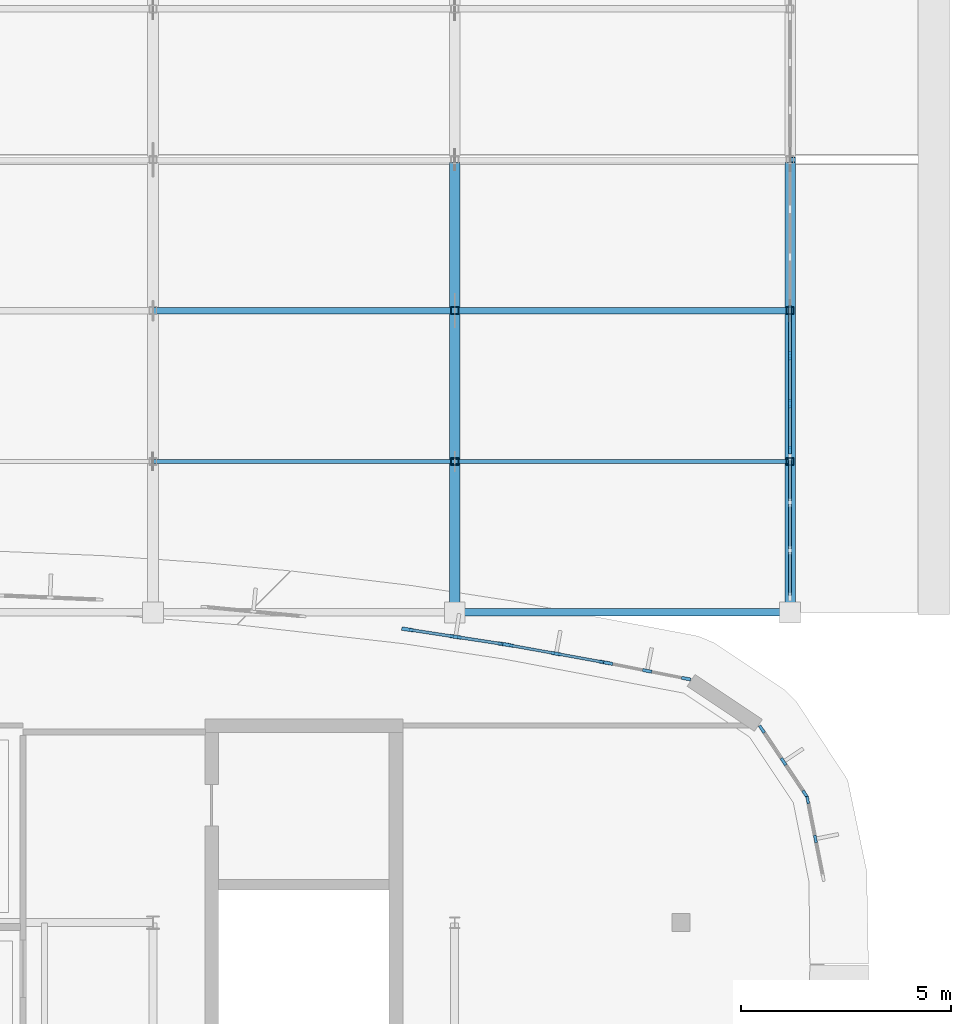
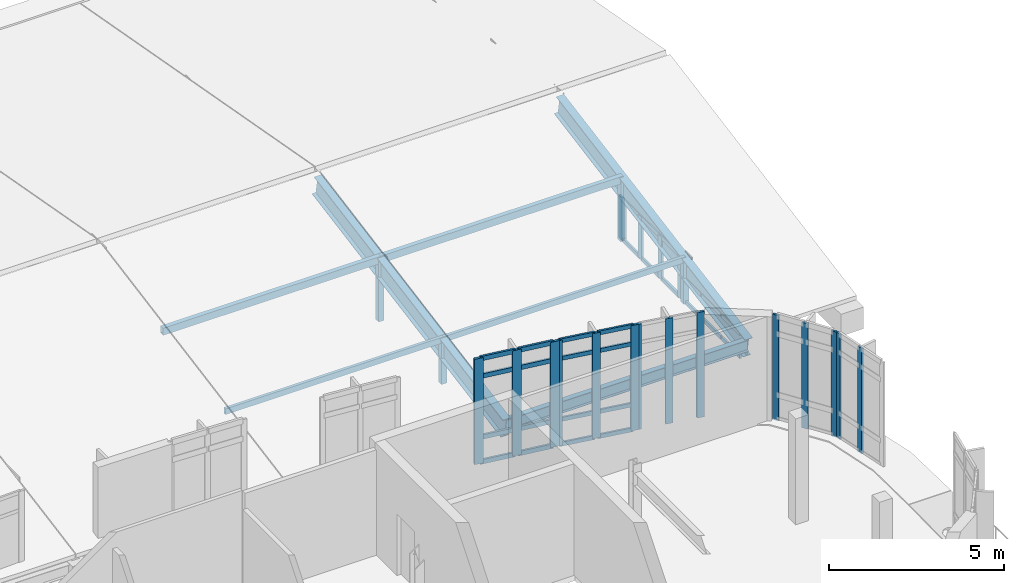
# One storey, part 35 of 105: 54 members, 3 beams, 7 elements without a shape of their own.
"""IFC4 building model written with IfcOpenShell, lengths in metres."""

from ifc_helpers import new_model, si_unit, direction, frame, origin, origin_2d, place, context, subcontext, project, spatial, rectangle, hollow_rectangle, i_section, extrude, material, material_profile, profile_set, type_object, element, aggregate, save


model = new_model("IFC4")

# Units and contexts
model_context = context("Model", 3, precision=1e-05, world=origin(), true_north=direction((0.0, 1.0)))
body_context = subcontext(model_context, "Body", "Model", "MODEL_VIEW")
ifc_project = project(units=[si_unit("LENGTHUNIT", "METRE"), si_unit("AREAUNIT", "SQUARE_METRE"), si_unit("VOLUMEUNIT", "CUBIC_METRE"), si_unit("PLANEANGLEUNIT", "RADIAN"), si_unit("MASSUNIT", "GRAM", prefix="KILO")], contexts=[model_context])

# Site, building, storey
site_placement = place(None, origin())
site = spatial("IfcSite", under=ifc_project, at=site_placement, CompositionType="ELEMENT")
building_placement = place(site_placement, origin())
building = spatial("IfcBuilding", under=site, at=building_placement, Name="Corveleigh Park Community Centre", CompositionType="ELEMENT")
storey_placement = place(building_placement, frame((0.0, 0.0, 8.699951171875)))
storey = spatial("IfcBuildingStorey", under=building, at=storey_placement, Name="L02", CompositionType="ELEMENT", Elevation=8.699951171875)

# Beams
ifc_material_1 = material(Name="Steel S355", Category="steel")
ifc_material_profile_1 = material_profile(ifc_material_1, i_section(OverallWidth=0.177978515625, OverallDepth=0.406494140625, WebThickness=0.0078125, FlangeThickness=0.0126953125, at=origin_2d()), Name="UKB 406x178x60", Category="steel")
ifc_profile_set_1 = profile_set([ifc_material_profile_1], Name="Steel S355")
beam_type_1 = type_object("IfcBeamType", Name="BM-STL-UKB406x60", PredefinedType="BEAM", material=ifc_profile_set_1)
beam_placement = place(storey_placement, frame((46.405029296875, 92.800048828125, 0.716796875), z_axis=(1.0, 0.0, 0.0), x_axis=(0.0, 1.0, 0.0)))
element("IfcBeam", 1, at=beam_placement, inside=storey, type_object=beam_type_1, Name="V2 Eave Tie Beam", PredefinedType="BEAM", context=body_context, shape_type="SweptSolid", body=[
    extrude(i_section(OverallWidth=0.177978515625, OverallDepth=0.406494140625, WebThickness=0.0078125, FlangeThickness=0.0126953125, at=origin_2d()), origin(), (0.0, 0.0, 1.0), 7.989990234375),
])
ifc_material_profile_2 = material_profile(ifc_material_1, i_section(OverallWidth=0.25439453125, OverallDepth=0.6875, WebThickness=0.01318359375, FlangeThickness=0.02099609375, at=origin_2d()), Name="UKB 686x254x152", Category="steel")
ifc_profile_set_2 = profile_set([ifc_material_profile_2], Name="Steel S355")
beam_type_2 = type_object("IfcBeamType", Name="BM-STL-UKB686x152", PredefinedType="BEAM", material=ifc_profile_set_2)
for number, where, z_axis, x_axis, name in (
    (2, (46.39990234375, 92.800048828125, 0.59814453125), (0.0, 0.984084889599, 0.177698987231), (-1.0, 0.0, 0.0), "V2 Portal Rafter S6"),
    (3, (54.39990234375, 92.800048828125, 0.59814453125), (0.0, 0.984084889599, 0.177698987231), (-1.0, 0.0, 0.0), "V2 Portal Rafter S7"),
):
    element("IfcBeam", number, at=place(storey_placement, frame(where, z_axis=z_axis, x_axis=x_axis)), inside=storey, type_object=beam_type_2, Name=name, PredefinedType="BEAM", context=body_context, shape_type="SweptSolid", body=[
        extrude(i_section(OverallWidth=0.25439453125, OverallDepth=0.6875, WebThickness=0.01318359375, FlangeThickness=0.02099609375, at=origin_2d()), origin(), (0.0, 0.0, 1.0), 10.974609375),
    ])

# Curtain wall, members
ifc_material_2 = material(Name="Anodised aluminium 6063-T6", Category="aluminium")
curtain_wall_type = type_object("IfcCurtainWallType", Name="CW-SYS-V2-HALL", PredefinedType="NOTDEFINED", material=ifc_material_2)
curtain_wall_1_placement = place(storey_placement, origin())
curtain_wall_1 = element("IfcCurtainWall", 4, at=curtain_wall_1_placement, inside=storey, type_object=curtain_wall_type, Name="V2 L02 Curtain Wall 314", PredefinedType="NOTDEFINED")
ifc_material_profile_3 = material_profile(ifc_material_2, rectangle(XDim=0.06494140625, YDim=0.179931640625, at=origin_2d()), Name="ALU-M65x180", Category="aluminium")
ifc_profile_set_3 = profile_set([ifc_material_profile_3], Name="Anodised aluminium 6063-T6")
member_type_1 = type_object("IfcMemberType", Name="CWM-65x180", PredefinedType="MULLION", material=ifc_profile_set_3)
member_1_placement = place(storey_placement, frame((54.8203125, 88.32421875, 0.0), z_axis=(0.0, 0.0, 1.0), x_axis=(0.980796650035, 0.195033154312, 0.0)))
member_1 = element("IfcMember", 5, at=member_1_placement, type_object=member_type_1, Name="CW04 mullion 1", PredefinedType="MULLION", context=body_context, shape_type="SweptSolid", body=[
    extrude(rectangle(XDim=0.06494140625, YDim=0.179931640625, at=origin_2d()), origin(), (0.0, 0.0, 1.0), 3.679931640625),
])
member_2_placement = place(storey_placement, frame((55.00439453125, 87.39794921875, 0.0), z_axis=(0.0, 0.0, 1.0), x_axis=(0.980796650035, 0.195033154312, 0.0)))
member_2 = element("IfcMember", 6, at=member_2_placement, type_object=member_type_1, Name="CW04 mullion 2", PredefinedType="MULLION", context=body_context, shape_type="SweptSolid", body=[
    extrude(rectangle(XDim=0.06494140625, YDim=0.179931640625, at=origin_2d()), origin(), (0.0, 0.0, 1.0), 3.679931640625),
])
aggregate(curtain_wall_1, [member_1, member_2])

curtain_wall_2_placement = place(storey_placement, origin())
curtain_wall_2 = element("IfcCurtainWall", 7, at=curtain_wall_2_placement, inside=storey, type_object=curtain_wall_type, Name="V2 L02 Curtain Wall 315", PredefinedType="NOTDEFINED")
ifc_material_profile_4 = material_profile(ifc_material_2, rectangle(XDim=0.070068359375, YDim=0.199951171875, at=origin_2d()), Name="ALU-M70x200", Category="aluminium")
ifc_profile_set_4 = profile_set([ifc_material_profile_4], Name="Anodised aluminium 6063-T6")
member_type_2 = type_object("IfcMemberType", Name="CWM-70x200", PredefinedType="MULLION", material=ifc_profile_set_4)
member_3_placement = place(storey_placement, frame((53.726318359375, 90.015869140625, 0.0), z_axis=(0.0, 0.0, 1.0), x_axis=(0.831811465407, 0.555058272633, 0.0)))
member_3 = element("IfcMember", 8, at=member_3_placement, type_object=member_type_2, Name="CW04 mullion 1", PredefinedType="MULLION", context=body_context, shape_type="SweptSolid", body=[
    extrude(rectangle(XDim=0.070068359375, YDim=0.199951171875, at=origin_2d()), origin(), (0.0, 0.0, 1.0), 3.679931640625),
])
member_4_placement = place(storey_placement, frame((54.243408203125, 89.240966796875, 0.0), z_axis=(0.0, 0.0, 1.0), x_axis=(0.831811465407, 0.555058272633, 0.0)))
member_4 = element("IfcMember", 9, at=member_4_placement, type_object=member_type_2, Name="CW04 mullion 2", PredefinedType="MULLION", context=body_context, shape_type="SweptSolid", body=[
    extrude(rectangle(XDim=0.070068359375, YDim=0.199951171875, at=origin_2d()), origin(), (0.0, 0.0, 1.0), 3.679931640625),
])
member_5_placement = place(storey_placement, frame((54.760498046875, 88.466064453125, 0.0), z_axis=(0.0, 0.0, 1.0), x_axis=(0.831811465407, 0.555058272633, 0.0)))
member_5 = element("IfcMember", 10, at=member_5_placement, type_object=member_type_2, Name="CW04 mullion 3", PredefinedType="MULLION", context=body_context, shape_type="SweptSolid", body=[
    extrude(rectangle(XDim=0.070068359375, YDim=0.199951171875, at=origin_2d()), origin(), (0.0, 0.0, 1.0), 3.679931640625),
])
aggregate(curtain_wall_2, [member_3, member_4, member_5])

curtain_wall_3_placement = place(storey_placement, origin())
curtain_wall_3 = element("IfcCurtainWall", 11, at=curtain_wall_3_placement, inside=storey, type_object=curtain_wall_type, Name="Sports Hall E Gable Clerestory 2", PredefinedType="NOTDEFINED")
member_6_placement = place(storey_placement, frame((54.39990234375, 100.02490234375, 0.0), z_axis=(0.0, 0.0, 1.0), x_axis=(1.0, 0.0, 0.0)))
member_6 = element("IfcMember", 12, at=member_6_placement, type_object=member_type_2, Name="CW04 mullion 1", PredefinedType="MULLION", context=body_context, shape_type="SweptSolid", body=[
    extrude(rectangle(XDim=0.070068359375, YDim=0.199951171875, at=origin_2d()), origin(), (0.0, 0.0, 1.0), 1.5029296875),
])
member_7_placement = place(storey_placement, frame((54.39990234375, 98.919921875, 0.0), z_axis=(0.0, 0.0, 1.0), x_axis=(1.0, 0.0, 0.0)))
member_7 = element("IfcMember", 13, at=member_7_placement, type_object=member_type_2, Name="CW04 mullion 2", PredefinedType="MULLION", context=body_context, shape_type="SweptSolid", body=[
    extrude(rectangle(XDim=0.070068359375, YDim=0.199951171875, at=origin_2d()), origin(), (0.0, 0.0, 1.0), 1.5029296875),
])
member_8_placement = place(storey_placement, frame((54.39990234375, 97.780029296875, 0.0), z_axis=(0.0, 0.0, 1.0), x_axis=(1.0, 0.0, 0.0)))
member_8 = element("IfcMember", 14, at=member_8_placement, type_object=member_type_2, Name="CW04 mullion 3", PredefinedType="MULLION", context=body_context, shape_type="SweptSolid", body=[
    extrude(rectangle(XDim=0.070068359375, YDim=0.199951171875, at=origin_2d()), origin(), (0.0, 0.0, 1.0), 1.5029296875),
])
member_9_placement = place(storey_placement, frame((54.39990234375, 96.675048828125, 0.0), z_axis=(0.0, 0.0, 1.0), x_axis=(1.0, 0.0, 0.0)))
member_9 = element("IfcMember", 15, at=member_9_placement, type_object=member_type_2, Name="CW04 mullion 4", PredefinedType="MULLION", context=body_context, shape_type="SweptSolid", body=[
    extrude(rectangle(XDim=0.070068359375, YDim=0.199951171875, at=origin_2d()), origin(), (0.0, 0.0, 1.0), 1.5029296875),
])

curtain_wall_4_placement = place(storey_placement, origin())
curtain_wall_4 = element("IfcCurtainWall", 16, at=curtain_wall_4_placement, inside=storey, type_object=curtain_wall_type, Name="V2 L02 Curtain Wall 316", PredefinedType="NOTDEFINED")
ifc_material_profile_5 = material_profile(ifc_material_2, rectangle(XDim=0.074951171875, YDim=0.219970703125, at=origin_2d()), Name="ALU-M75x220", Category="aluminium")
ifc_profile_set_5 = profile_set([ifc_material_profile_5], Name="Anodised aluminium 6063-T6")
member_type_3 = type_object("IfcMemberType", Name="CWM-75x220", PredefinedType="MULLION", material=ifc_profile_set_5)
member_10_placement = place(storey_placement, frame((50.060791015625, 91.590576171875, 0.0), z_axis=(0.0, 0.0, 1.0), x_axis=(0.194944453986, 0.980814284082, 0.0)))
member_10 = element("IfcMember", 17, at=member_10_placement, type_object=member_type_3, Name="CW04 mullion 1", PredefinedType="MULLION", context=body_context, shape_type="SweptSolid", body=[
    extrude(rectangle(XDim=0.074951171875, YDim=0.219970703125, at=origin_2d()), origin(), (0.0, 0.0, 1.0), 3.679931640625),
])
member_11_placement = place(storey_placement, frame((50.989990234375, 91.406005859375, 0.0), z_axis=(0.0, 0.0, 1.0), x_axis=(0.194944453986, 0.980814284082, 0.0)))
member_11 = element("IfcMember", 18, at=member_11_placement, type_object=member_type_3, Name="CW04 mullion 2", PredefinedType="MULLION", context=body_context, shape_type="SweptSolid", body=[
    extrude(rectangle(XDim=0.074951171875, YDim=0.219970703125, at=origin_2d()), origin(), (0.0, 0.0, 1.0), 3.679931640625),
])
member_12_placement = place(storey_placement, frame((51.919189453125, 91.22119140625, 0.0), z_axis=(0.0, 0.0, 1.0), x_axis=(0.194944453986, 0.980814284082, 0.0)))
member_12 = element("IfcMember", 19, at=member_12_placement, type_object=member_type_3, Name="CW04 mullion 3", PredefinedType="MULLION", context=body_context, shape_type="SweptSolid", body=[
    extrude(rectangle(XDim=0.074951171875, YDim=0.219970703125, at=origin_2d()), origin(), (0.0, 0.0, 1.0), 3.679931640625),
])
aggregate(curtain_wall_4, [member_10, member_11, member_12])

curtain_wall_5_placement = place(storey_placement, origin())
curtain_wall_5 = element("IfcCurtainWall", 20, at=curtain_wall_5_placement, inside=storey, type_object=curtain_wall_type, Name="V2 L02 Curtain Wall 317", PredefinedType="NOTDEFINED")
ifc_material_profile_6 = material_profile(ifc_material_2, rectangle(XDim=0.080078125, YDim=0.25, at=origin_2d()), Name="ALU-M80x250", Category="aluminium")
ifc_profile_set_6 = profile_set([ifc_material_profile_6], Name="Anodised aluminium 6063-T6")
member_type_4 = type_object("IfcMemberType", Name="CWM-80x250", PredefinedType="MULLION", material=ifc_profile_set_6)
member_13_placement = place(storey_placement, frame((47.67138671875, 92.02490234375, 0.0), z_axis=(0.0, 0.0, 1.0), x_axis=(0.178484557805, 0.983942713081, 0.0)))
member_13 = element("IfcMember", 21, at=member_13_placement, type_object=member_type_4, Name="CW04 mullion 1", PredefinedType="MULLION", context=body_context, shape_type="SweptSolid", body=[
    extrude(rectangle(XDim=0.080078125, YDim=0.25, at=origin_2d()), origin(), (0.0, 0.0, 1.0), 3.679931640625),
])
member_14_placement = place(storey_placement, frame((48.820068359375, 91.81640625, 0.0), z_axis=(0.0, 0.0, 1.0), x_axis=(0.178484557805, 0.983942713081, 0.0)))
member_14 = element("IfcMember", 22, at=member_14_placement, type_object=member_type_4, Name="CW04 mullion 2", PredefinedType="MULLION", context=body_context, shape_type="SweptSolid", body=[
    extrude(rectangle(XDim=0.080078125, YDim=0.25, at=origin_2d()), origin(), (0.0, 0.0, 1.0), 3.679931640625),
])
member_15_placement = place(storey_placement, frame((49.96875, 91.608154296875, 0.0), z_axis=(0.0, 0.0, 1.0), x_axis=(0.178484557805, 0.983942713081, 0.0)))
member_15 = element("IfcMember", 23, at=member_15_placement, type_object=member_type_4, Name="CW04 mullion 3", PredefinedType="MULLION", context=body_context, shape_type="SweptSolid", body=[
    extrude(rectangle(XDim=0.080078125, YDim=0.25, at=origin_2d()), origin(), (0.0, 0.0, 1.0), 3.679931640625),
])

curtain_wall_6_placement = place(storey_placement, origin())
curtain_wall_6 = element("IfcCurtainWall", 24, at=curtain_wall_6_placement, inside=storey, type_object=curtain_wall_type, Name="V2 L02 Curtain Wall 318", PredefinedType="NOTDEFINED")
ifc_material_profile_7 = material_profile(ifc_material_2, rectangle(XDim=0.0849609375, YDim=0.27490234375, at=origin_2d()), Name="ALU-M85x275", Category="aluminium")
ifc_profile_set_7 = profile_set([ifc_material_profile_7], Name="Anodised aluminium 6063-T6")
member_type_5 = type_object("IfcMemberType", Name="CWM-85x275", PredefinedType="MULLION", material=ifc_profile_set_7)
member_16_placement = place(storey_placement, frame((45.27099609375, 92.39453125, 0.0), z_axis=(0.0, 0.0, 1.0), x_axis=(0.151683462597, 0.988429120967, 0.0)))
member_16 = element("IfcMember", 25, at=member_16_placement, type_object=member_type_5, Name="CW04 mullion 1", PredefinedType="MULLION", context=body_context, shape_type="SweptSolid", body=[
    extrude(rectangle(XDim=0.0849609375, YDim=0.27490234375, at=origin_2d()), origin(), (0.0, 0.0, 1.0), 3.679931640625),
])
member_17_placement = place(storey_placement, frame((46.42138671875, 92.218017578125, 0.0), z_axis=(0.0, 0.0, 1.0), x_axis=(0.151683462597, 0.988429120967, 0.0)))
member_17 = element("IfcMember", 26, at=member_17_placement, type_object=member_type_5, Name="CW04 mullion 2", PredefinedType="MULLION", context=body_context, shape_type="SweptSolid", body=[
    extrude(rectangle(XDim=0.0849609375, YDim=0.27490234375, at=origin_2d()), origin(), (0.0, 0.0, 1.0), 3.679931640625),
])
member_18_placement = place(storey_placement, frame((47.572021484375, 92.04150390625, 0.0), z_axis=(0.0, 0.0, 1.0), x_axis=(0.151683462597, 0.988429120967, 0.0)))
member_18 = element("IfcMember", 27, at=member_18_placement, type_object=member_type_5, Name="CW04 mullion 3", PredefinedType="MULLION", context=body_context, shape_type="SweptSolid", body=[
    extrude(rectangle(XDim=0.0849609375, YDim=0.27490234375, at=origin_2d()), origin(), (0.0, 0.0, 1.0), 3.679931640625),
])

# Member
ifc_material_profile_8 = material_profile(ifc_material_2, rectangle(XDim=0.06494140625, YDim=0.139892578125, at=origin_2d()), Name="ALU-T65x140", Category="aluminium")
ifc_profile_set_8 = profile_set([ifc_material_profile_8], Name="Anodised aluminium 6063-T6")
member_type_6 = type_object("IfcMemberType", Name="CWT-65x140", PredefinedType="USERDEFINED", material=ifc_profile_set_8)
member_19_placement = place(storey_placement, frame((47.710693359375, 92.017822265625, 0.032470703125), z_axis=(0.983945251703, -0.178470562424, 0.0), x_axis=(0.178470562424, 0.983945251703, 0.0)))
member_19 = element("IfcMember", 28, at=member_19_placement, type_object=member_type_6, Name="CW04 transom 1.1", ObjectType="TRANSOM", PredefinedType="USERDEFINED", context=body_context, shape_type="SweptSolid", body=[
    extrude(rectangle(XDim=0.06494140625, YDim=0.139892578125, at=origin_2d()), origin(), (0.0, 0.0, 1.0), 1.087646484375),
])

member_20_placement = place(storey_placement, frame((47.710693359375, 92.017822265625, 0.900146484375), z_axis=(0.983945251703, -0.178470562424, 0.0), x_axis=(0.178470562424, 0.983945251703, 0.0)))
member_20 = element("IfcMember", 29, at=member_20_placement, type_object=member_type_6, Name="CW04 transom 1.2", ObjectType="TRANSOM", PredefinedType="USERDEFINED", context=body_context, shape_type="SweptSolid", body=[
    extrude(rectangle(XDim=0.06494140625, YDim=0.139892578125, at=origin_2d()), origin(), (0.0, 0.0, 1.0), 1.087646484375),
])

member_21_placement = place(storey_placement, frame((47.710693359375, 92.017822265625, 3.030029296875), z_axis=(0.983945251703, -0.178470562424, 0.0), x_axis=(0.178470562424, 0.983945251703, 0.0)))
member_21 = element("IfcMember", 30, at=member_21_placement, type_object=member_type_6, Name="CW04 transom 1.3", ObjectType="TRANSOM", PredefinedType="USERDEFINED", context=body_context, shape_type="SweptSolid", body=[
    extrude(rectangle(XDim=0.06494140625, YDim=0.139892578125, at=origin_2d()), origin(), (0.0, 0.0, 1.0), 1.087646484375),
])

member_22_placement = place(storey_placement, frame((47.710693359375, 92.017822265625, 3.6474609375), z_axis=(0.983945251703, -0.178470562424, 0.0), x_axis=(0.178470562424, 0.983945251703, 0.0)))
member_22 = element("IfcMember", 31, at=member_22_placement, type_object=member_type_6, Name="CW04 transom 1.4", ObjectType="TRANSOM", PredefinedType="USERDEFINED", context=body_context, shape_type="SweptSolid", body=[
    extrude(rectangle(XDim=0.06494140625, YDim=0.139892578125, at=origin_2d()), origin(), (0.0, 0.0, 1.0), 1.087646484375),
])

member_23_placement = place(storey_placement, frame((48.859375, 91.809326171875, 0.032470703125), z_axis=(0.983938098895, -0.178509992839, 0.0), x_axis=(0.178509992839, 0.983938098895, 0.0)))
member_23 = element("IfcMember", 32, at=member_23_placement, type_object=member_type_6, Name="CW04 transom 2.1", ObjectType="TRANSOM", PredefinedType="USERDEFINED", context=body_context, shape_type="SweptSolid", body=[
    extrude(rectangle(XDim=0.06494140625, YDim=0.139892578125, at=origin_2d()), origin(), (0.0, 0.0, 1.0), 1.08740234375),
])

member_24_placement = place(storey_placement, frame((48.859375, 91.809326171875, 0.900146484375), z_axis=(0.983938098895, -0.178509992839, 0.0), x_axis=(0.178509992839, 0.983938098895, 0.0)))
member_24 = element("IfcMember", 33, at=member_24_placement, type_object=member_type_6, Name="CW04 transom 2.2", ObjectType="TRANSOM", PredefinedType="USERDEFINED", context=body_context, shape_type="SweptSolid", body=[
    extrude(rectangle(XDim=0.06494140625, YDim=0.139892578125, at=origin_2d()), origin(), (0.0, 0.0, 1.0), 1.08740234375),
])

member_25_placement = place(storey_placement, frame((48.859375, 91.809326171875, 3.030029296875), z_axis=(0.983938098895, -0.178509992839, 0.0), x_axis=(0.178509992839, 0.983938098895, 0.0)))
member_25 = element("IfcMember", 34, at=member_25_placement, type_object=member_type_6, Name="CW04 transom 2.3", ObjectType="TRANSOM", PredefinedType="USERDEFINED", context=body_context, shape_type="SweptSolid", body=[
    extrude(rectangle(XDim=0.06494140625, YDim=0.139892578125, at=origin_2d()), origin(), (0.0, 0.0, 1.0), 1.08740234375),
])

member_26_placement = place(storey_placement, frame((48.859375, 91.809326171875, 3.6474609375), z_axis=(0.983938098895, -0.178509992839, 0.0), x_axis=(0.178509992839, 0.983938098895, 0.0)))
member_26 = element("IfcMember", 35, at=member_26_placement, type_object=member_type_6, Name="CW04 transom 2.4", ObjectType="TRANSOM", PredefinedType="USERDEFINED", context=body_context, shape_type="SweptSolid", body=[
    extrude(rectangle(XDim=0.06494140625, YDim=0.139892578125, at=origin_2d()), origin(), (0.0, 0.0, 1.0), 1.08740234375),
])

aggregate(curtain_wall_5, [member_13, member_14, member_15, member_19, member_20, member_21, member_22, member_23, member_24, member_25, member_26])

# Curtain wall, members
curtain_wall_7_placement = place(storey_placement, origin())
curtain_wall_7 = element("IfcCurtainWall", 36, at=curtain_wall_7_placement, inside=storey, type_object=curtain_wall_type, Name="Sports Hall E Gable Clerestory 1", PredefinedType="NOTDEFINED")
member_27_placement = place(storey_placement, frame((54.39990234375, 96.489990234375, 0.032470703125), z_axis=(0.0, -1.0, 0.0), x_axis=(1.0, 0.0, 0.0)))
member_27 = element("IfcMember", 37, at=member_27_placement, type_object=member_type_6, Name="CW04 transom 1.1", ObjectType="TRANSOM", PredefinedType="USERDEFINED", context=body_context, shape_type="SweptSolid", body=[
    extrude(rectangle(XDim=0.06494140625, YDim=0.139892578125, at=origin_2d()), origin(), (0.0, 0.0, 1.0), 1.034912109375),
])
member_28_placement = place(storey_placement, frame((54.39990234375, 96.489990234375, 0.838623046875), z_axis=(0.0, -1.0, 0.0), x_axis=(1.0, 0.0, 0.0)))
member_28 = element("IfcMember", 38, at=member_28_placement, type_object=member_type_6, Name="CW04 transom 1.2", ObjectType="TRANSOM", PredefinedType="USERDEFINED", context=body_context, shape_type="SweptSolid", body=[
    extrude(rectangle(XDim=0.06494140625, YDim=0.139892578125, at=origin_2d()), origin(), (0.0, 0.0, 1.0), 1.034912109375),
])
member_29_placement = place(storey_placement, frame((54.39990234375, 95.385009765625, 0.032470703125), z_axis=(0.0, -1.0, 0.0), x_axis=(1.0, 0.0, 0.0)))
member_29 = element("IfcMember", 39, at=member_29_placement, type_object=member_type_6, Name="CW04 transom 2.1", ObjectType="TRANSOM", PredefinedType="USERDEFINED", context=body_context, shape_type="SweptSolid", body=[
    extrude(rectangle(XDim=0.06494140625, YDim=0.139892578125, at=origin_2d()), origin(), (0.0, 0.0, 1.0), 1.070068359375),
])
member_30_placement = place(storey_placement, frame((54.39990234375, 95.385009765625, 0.838623046875), z_axis=(0.0, -1.0, 0.0), x_axis=(1.0, 0.0, 0.0)))
member_30 = element("IfcMember", 40, at=member_30_placement, type_object=member_type_6, Name="CW04 transom 2.2", ObjectType="TRANSOM", PredefinedType="USERDEFINED", context=body_context, shape_type="SweptSolid", body=[
    extrude(rectangle(XDim=0.06494140625, YDim=0.139892578125, at=origin_2d()), origin(), (0.0, 0.0, 1.0), 1.070068359375),
])
member_31_placement = place(storey_placement, frame((54.39990234375, 94.2451171875, 0.032470703125), z_axis=(0.0, -1.0, 0.0), x_axis=(1.0, 0.0, 0.0)))
member_31 = element("IfcMember", 41, at=member_31_placement, type_object=member_type_6, Name="CW04 transom 3.1", ObjectType="TRANSOM", PredefinedType="USERDEFINED", context=body_context, shape_type="SweptSolid", body=[
    extrude(rectangle(XDim=0.06494140625, YDim=0.139892578125, at=origin_2d()), origin(), (0.0, 0.0, 1.0), 1.03515625),
])
member_32_placement = place(storey_placement, frame((54.39990234375, 94.2451171875, 0.838623046875), z_axis=(0.0, -1.0, 0.0), x_axis=(1.0, 0.0, 0.0)))
member_32 = element("IfcMember", 42, at=member_32_placement, type_object=member_type_6, Name="CW04 transom 3.2", ObjectType="TRANSOM", PredefinedType="USERDEFINED", context=body_context, shape_type="SweptSolid", body=[
    extrude(rectangle(XDim=0.06494140625, YDim=0.139892578125, at=origin_2d()), origin(), (0.0, 0.0, 1.0), 1.03515625),
])
aggregate(curtain_wall_7, [member_27, member_28, member_29, member_30, member_31, member_32])

# Member
member_33_placement = place(storey_placement, frame((54.39990234375, 99.989990234375, 0.032470703125), z_axis=(0.0, -1.0, 0.0), x_axis=(1.0, 0.0, 0.0)))
member_33 = element("IfcMember", 43, at=member_33_placement, type_object=member_type_6, Name="CW04 transom 1.1", ObjectType="TRANSOM", PredefinedType="USERDEFINED", context=body_context, shape_type="SweptSolid", body=[
    extrude(rectangle(XDim=0.06494140625, YDim=0.139892578125, at=origin_2d()), origin(), (0.0, 0.0, 1.0), 1.034912109375),
])

member_34_placement = place(storey_placement, frame((54.39990234375, 99.989990234375, 1.470458984375), z_axis=(0.0, -1.0, 0.0), x_axis=(1.0, 0.0, 0.0)))
member_34 = element("IfcMember", 44, at=member_34_placement, type_object=member_type_6, Name="CW04 transom 1.2", ObjectType="TRANSOM", PredefinedType="USERDEFINED", context=body_context, shape_type="SweptSolid", body=[
    extrude(rectangle(XDim=0.06494140625, YDim=0.139892578125, at=origin_2d()), origin(), (0.0, 0.0, 1.0), 1.034912109375),
])

member_35_placement = place(storey_placement, frame((54.39990234375, 98.885009765625, 0.032470703125), z_axis=(0.0, -1.0, 0.0), x_axis=(1.0, 0.0, 0.0)))
member_35 = element("IfcMember", 45, at=member_35_placement, type_object=member_type_6, Name="CW04 transom 2.1", ObjectType="TRANSOM", PredefinedType="USERDEFINED", context=body_context, shape_type="SweptSolid", body=[
    extrude(rectangle(XDim=0.06494140625, YDim=0.139892578125, at=origin_2d()), origin(), (0.0, 0.0, 1.0), 1.070068359375),
])

member_36_placement = place(storey_placement, frame((54.39990234375, 98.885009765625, 1.470458984375), z_axis=(0.0, -1.0, 0.0), x_axis=(1.0, 0.0, 0.0)))
member_36 = element("IfcMember", 46, at=member_36_placement, type_object=member_type_6, Name="CW04 transom 2.2", ObjectType="TRANSOM", PredefinedType="USERDEFINED", context=body_context, shape_type="SweptSolid", body=[
    extrude(rectangle(XDim=0.06494140625, YDim=0.139892578125, at=origin_2d()), origin(), (0.0, 0.0, 1.0), 1.070068359375),
])

member_37_placement = place(storey_placement, frame((54.39990234375, 97.7451171875, 0.032470703125), z_axis=(0.0, -1.0, 0.0), x_axis=(1.0, 0.0, 0.0)))
member_37 = element("IfcMember", 47, at=member_37_placement, type_object=member_type_6, Name="CW04 transom 3.1", ObjectType="TRANSOM", PredefinedType="USERDEFINED", context=body_context, shape_type="SweptSolid", body=[
    extrude(rectangle(XDim=0.06494140625, YDim=0.139892578125, at=origin_2d()), origin(), (0.0, 0.0, 1.0), 1.03515625),
])

member_38_placement = place(storey_placement, frame((54.39990234375, 97.7451171875, 1.470458984375), z_axis=(0.0, -1.0, 0.0), x_axis=(1.0, 0.0, 0.0)))
member_38 = element("IfcMember", 48, at=member_38_placement, type_object=member_type_6, Name="CW04 transom 3.2", ObjectType="TRANSOM", PredefinedType="USERDEFINED", context=body_context, shape_type="SweptSolid", body=[
    extrude(rectangle(XDim=0.06494140625, YDim=0.139892578125, at=origin_2d()), origin(), (0.0, 0.0, 1.0), 1.03515625),
])

aggregate(curtain_wall_3, [member_6, member_7, member_8, member_9, member_33, member_34, member_35, member_36, member_37, member_38])

ifc_material_profile_9 = material_profile(ifc_material_2, rectangle(XDim=0.070068359375, YDim=0.155029296875, at=origin_2d()), Name="ALU-T70x155", Category="aluminium")
ifc_profile_set_9 = profile_set([ifc_material_profile_9], Name="Anodised aluminium 6063-T6")
member_type_7 = type_object("IfcMemberType", Name="CWT-70x155", PredefinedType="USERDEFINED", material=ifc_profile_set_9)
member_39_placement = place(storey_placement, frame((45.31298828125, 92.38818359375, 0.03515625), z_axis=(0.988405680834, -0.151836129084, 0.0), x_axis=(0.151836129084, 0.988405680834, 0.0)))
member_39 = element("IfcMember", 49, at=member_39_placement, type_object=member_type_7, Name="CW04 transom 1.1", ObjectType="TRANSOM", PredefinedType="USERDEFINED", context=body_context, shape_type="SweptSolid", body=[
    extrude(rectangle(XDim=0.070068359375, YDim=0.155029296875, at=origin_2d()), origin(), (0.0, 0.0, 1.0), 1.078857421875),
])

member_40_placement = place(storey_placement, frame((45.31298828125, 92.38818359375, 0.900146484375), z_axis=(0.988405680834, -0.151836129084, 0.0), x_axis=(0.151836129084, 0.988405680834, 0.0)))
member_40 = element("IfcMember", 50, at=member_40_placement, type_object=member_type_7, Name="CW04 transom 1.2", ObjectType="TRANSOM", PredefinedType="USERDEFINED", context=body_context, shape_type="SweptSolid", body=[
    extrude(rectangle(XDim=0.070068359375, YDim=0.155029296875, at=origin_2d()), origin(), (0.0, 0.0, 1.0), 1.078857421875),
])

member_41_placement = place(storey_placement, frame((45.31298828125, 92.38818359375, 3.030029296875), z_axis=(0.988405680834, -0.151836129084, 0.0), x_axis=(0.151836129084, 0.988405680834, 0.0)))
member_41 = element("IfcMember", 51, at=member_41_placement, type_object=member_type_7, Name="CW04 transom 1.3", ObjectType="TRANSOM", PredefinedType="USERDEFINED", context=body_context, shape_type="SweptSolid", body=[
    extrude(rectangle(XDim=0.070068359375, YDim=0.155029296875, at=origin_2d()), origin(), (0.0, 0.0, 1.0), 1.078857421875),
])

member_42_placement = place(storey_placement, frame((45.31298828125, 92.38818359375, 3.64501953125), z_axis=(0.988405680834, -0.151836129084, 0.0), x_axis=(0.151836129084, 0.988405680834, 0.0)))
member_42 = element("IfcMember", 52, at=member_42_placement, type_object=member_type_7, Name="CW04 transom 1.4", ObjectType="TRANSOM", PredefinedType="USERDEFINED", context=body_context, shape_type="SweptSolid", body=[
    extrude(rectangle(XDim=0.070068359375, YDim=0.155029296875, at=origin_2d()), origin(), (0.0, 0.0, 1.0), 1.078857421875),
])

member_43_placement = place(storey_placement, frame((46.463623046875, 92.211669921875, 0.03515625), z_axis=(0.988405680834, -0.151836129084, 0.0), x_axis=(0.151836129084, 0.988405680834, 0.0)))
member_43 = element("IfcMember", 53, at=member_43_placement, type_object=member_type_7, Name="CW04 transom 2.1", ObjectType="TRANSOM", PredefinedType="USERDEFINED", context=body_context, shape_type="SweptSolid", body=[
    extrude(rectangle(XDim=0.070068359375, YDim=0.155029296875, at=origin_2d()), origin(), (0.0, 0.0, 1.0), 1.078857421875),
])

member_44_placement = place(storey_placement, frame((46.463623046875, 92.211669921875, 0.900146484375), z_axis=(0.988405680834, -0.151836129084, 0.0), x_axis=(0.151836129084, 0.988405680834, 0.0)))
member_44 = element("IfcMember", 54, at=member_44_placement, type_object=member_type_7, Name="CW04 transom 2.2", ObjectType="TRANSOM", PredefinedType="USERDEFINED", context=body_context, shape_type="SweptSolid", body=[
    extrude(rectangle(XDim=0.070068359375, YDim=0.155029296875, at=origin_2d()), origin(), (0.0, 0.0, 1.0), 1.078857421875),
])

member_45_placement = place(storey_placement, frame((46.463623046875, 92.211669921875, 3.030029296875), z_axis=(0.988405680834, -0.151836129084, 0.0), x_axis=(0.151836129084, 0.988405680834, 0.0)))
member_45 = element("IfcMember", 55, at=member_45_placement, type_object=member_type_7, Name="CW04 transom 2.3", ObjectType="TRANSOM", PredefinedType="USERDEFINED", context=body_context, shape_type="SweptSolid", body=[
    extrude(rectangle(XDim=0.070068359375, YDim=0.155029296875, at=origin_2d()), origin(), (0.0, 0.0, 1.0), 1.078857421875),
])

member_46_placement = place(storey_placement, frame((46.463623046875, 92.211669921875, 3.64501953125), z_axis=(0.988405680834, -0.151836129084, 0.0), x_axis=(0.151836129084, 0.988405680834, 0.0)))
member_46 = element("IfcMember", 56, at=member_46_placement, type_object=member_type_7, Name="CW04 transom 2.4", ObjectType="TRANSOM", PredefinedType="USERDEFINED", context=body_context, shape_type="SweptSolid", body=[
    extrude(rectangle(XDim=0.070068359375, YDim=0.155029296875, at=origin_2d()), origin(), (0.0, 0.0, 1.0), 1.078857421875),
])

aggregate(curtain_wall_6, [member_16, member_17, member_18, member_39, member_40, member_41, member_42, member_43, member_44, member_45, member_46])

# Members
ifc_material_profile_10 = material_profile(ifc_material_1, hollow_rectangle(XDim=0.10009765625, YDim=0.199951171875, WallThickness=0.008056640625, at=origin_2d()), Name="RHS 200x100x8.0", Category="steel")
ifc_profile_set_10 = profile_set([ifc_material_profile_10], Name="Steel S355")
member_type_8 = type_object("IfcMemberType", Name="MEM-PRL-RHS200", PredefinedType="PURLIN", material=ifc_profile_set_10)
member_47_placement = place(storey_placement, frame((39.199951171875, 96.39990234375, 1.51513671875), z_axis=(1.0, 0.0, 0.0), x_axis=(0.0, 1.0, 0.0)))
element("IfcMember", 57, at=member_47_placement, inside=storey, type_object=member_type_8, Name="V2 Hall Roof Purlin", PredefinedType="PURLIN", context=body_context, shape_type="SweptSolid", body=[
    extrude(hollow_rectangle(XDim=0.10009765625, YDim=0.199951171875, WallThickness=0.008056640625, at=origin_2d()), origin(), (0.0, 0.0, 1.0), 7.199951171875),
])
member_48_placement = place(storey_placement, frame((46.39990234375, 96.39990234375, 1.51513671875), z_axis=(1.0, 0.0, 0.0), x_axis=(0.0, 1.0, 0.0)))
element("IfcMember", 58, at=member_48_placement, inside=storey, type_object=member_type_8, Name="V2 Hall Roof Purlin", PredefinedType="PURLIN", context=body_context, shape_type="SweptSolid", body=[
    extrude(hollow_rectangle(XDim=0.10009765625, YDim=0.199951171875, WallThickness=0.008056640625, at=origin_2d()), origin(), (0.0, 0.0, 1.0), 8.0),
])
ifc_material_profile_11 = material_profile(ifc_material_1, hollow_rectangle(XDim=0.14990234375, YDim=0.25, WallThickness=0.010009765625, at=origin_2d()), Name="RHS 250x150x10.0", Category="steel")
ifc_profile_set_11 = profile_set([ifc_material_profile_11], Name="Steel S355")
member_type_9 = type_object("IfcMemberType", Name="MEM-PRL-RHS250", PredefinedType="PURLIN", material=ifc_profile_set_11)
member_49_placement = place(storey_placement, frame((39.199951171875, 100.0, 2.14013671875), z_axis=(1.0, 0.0, 0.0), x_axis=(0.0, 1.0, 0.0)))
element("IfcMember", 59, at=member_49_placement, inside=storey, type_object=member_type_9, Name="V2 Hall Roof Purlin", PredefinedType="PURLIN", context=body_context, shape_type="SweptSolid", body=[
    extrude(hollow_rectangle(XDim=0.14990234375, YDim=0.25, WallThickness=0.010009765625, at=origin_2d()), origin(), (0.0, 0.0, 1.0), 7.199951171875),
])
member_50_placement = place(storey_placement, frame((46.39990234375, 100.0, 2.14013671875), z_axis=(1.0, 0.0, 0.0), x_axis=(0.0, 1.0, 0.0)))
element("IfcMember", 60, at=member_50_placement, inside=storey, type_object=member_type_9, Name="V2 Hall Roof Purlin", PredefinedType="PURLIN", context=body_context, shape_type="SweptSolid", body=[
    extrude(hollow_rectangle(XDim=0.14990234375, YDim=0.25, WallThickness=0.010009765625, at=origin_2d()), origin(), (0.0, 0.0, 1.0), 8.0),
])
ifc_material_profile_12 = material_profile(ifc_material_1, hollow_rectangle(XDim=0.179931640625, YDim=0.179931640625, WallThickness=0.010009765625, at=origin_2d()), Name="SHS 180x180x10.0", Category="steel")
ifc_profile_set_12 = profile_set([ifc_material_profile_12], Name="Steel S355")
member_type_10 = type_object("IfcMemberType", Name="MEM-STR-SHS180I", PredefinedType="STRUT", material=ifc_profile_set_12)
member_51_placement = place(storey_placement, frame((46.39990234375, 96.39990234375, 0.0), z_axis=(0.0, 0.0, 1.0), x_axis=(1.0, 0.0, 0.0)))
element("IfcMember", 61, at=member_51_placement, inside=storey, type_object=member_type_10, Name="V2 Truss 6 Hanger Post", PredefinedType="STRUT", context=body_context, shape_type="SweptSolid", body=[
    extrude(hollow_rectangle(XDim=0.179931640625, YDim=0.179931640625, WallThickness=0.010009765625, at=origin_2d()), origin(), (0.0, 0.0, 1.0), 1.5),
])
member_52_placement = place(storey_placement, frame((46.39990234375, 100.0, 0.0), z_axis=(0.0, 0.0, 1.0), x_axis=(1.0, 0.0, 0.0)))
element("IfcMember", 62, at=member_52_placement, inside=storey, type_object=member_type_10, Name="V2 Truss 6 Hanger Post", PredefinedType="STRUT", context=body_context, shape_type="SweptSolid", body=[
    extrude(hollow_rectangle(XDim=0.179931640625, YDim=0.179931640625, WallThickness=0.010009765625, at=origin_2d()), origin(), (0.0, 0.0, 1.0), 2.150146484375),
])
member_53_placement = place(storey_placement, frame((54.39990234375, 96.39990234375, 0.0), z_axis=(0.0, 0.0, 1.0), x_axis=(1.0, 0.0, 0.0)))
element("IfcMember", 63, at=member_53_placement, inside=storey, type_object=member_type_10, Name="V2 Truss 7 Hanger Post", PredefinedType="STRUT", context=body_context, shape_type="SweptSolid", body=[
    extrude(hollow_rectangle(XDim=0.179931640625, YDim=0.179931640625, WallThickness=0.010009765625, at=origin_2d()), origin(), (0.0, 0.0, 1.0), 1.5),
])
member_54_placement = place(storey_placement, frame((54.39990234375, 100.0, 0.0), z_axis=(0.0, 0.0, 1.0), x_axis=(1.0, 0.0, 0.0)))
element("IfcMember", 64, at=member_54_placement, inside=storey, type_object=member_type_10, Name="V2 Truss 7 Hanger Post", PredefinedType="STRUT", context=body_context, shape_type="SweptSolid", body=[
    extrude(hollow_rectangle(XDim=0.179931640625, YDim=0.179931640625, WallThickness=0.010009765625, at=origin_2d()), origin(), (0.0, 0.0, 1.0), 2.150146484375),
])

save(model, "model.ifc")
